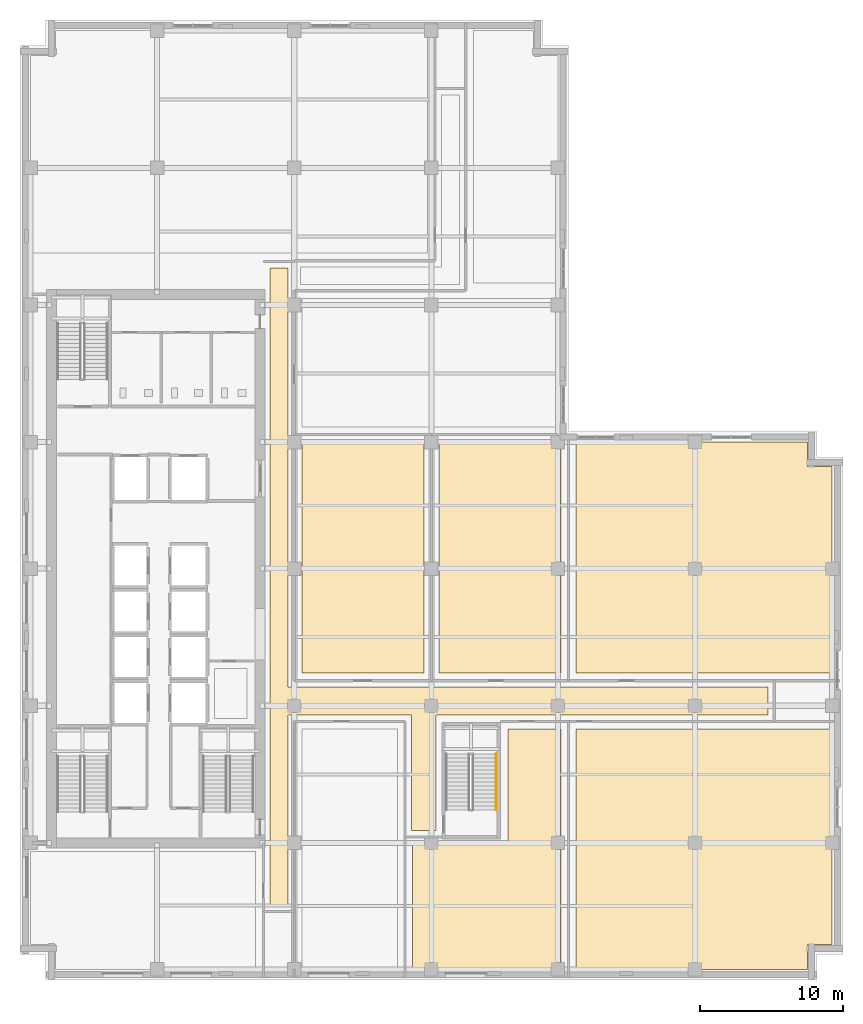
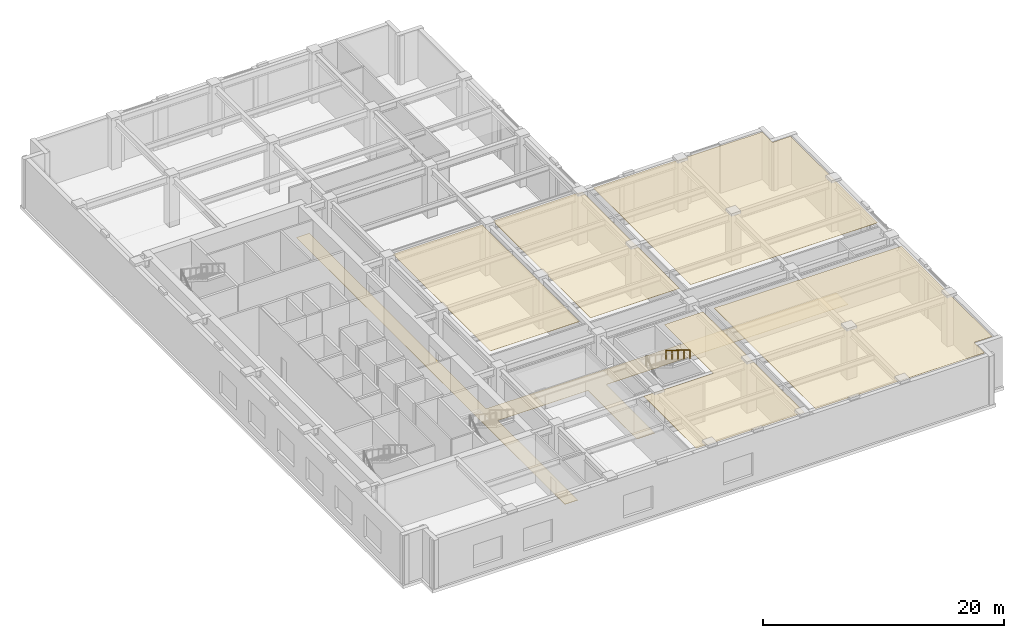
# One storey, part 15 of 18: 6 coverings, 1 railing.
"""IFC4 building model written with IfcOpenShell, lengths in metres."""

from ifc_helpers import new_model, si_unit, direction, frame, origin, origin_2d, place, context, subcontext, project, spatial, polyline, circle, outline, extrude, material, layer, layer_set, type_object, element, save


model = new_model("IFC4")

# Units and contexts
model_context = context("Model", 3, precision=1e-05, world=origin(), true_north=direction((0.0, 1.0)))
body_context = subcontext(model_context, "Body", "Model", "MODEL_VIEW")
ifc_project = project(units=[si_unit("LENGTHUNIT", "METRE"), si_unit("AREAUNIT", "SQUARE_METRE"), si_unit("VOLUMEUNIT", "CUBIC_METRE"), si_unit("PLANEANGLEUNIT", "RADIAN"), si_unit("MASSUNIT", "GRAM", prefix="KILO")], contexts=[model_context])

# Site, building, storey
site_placement = place(None, origin())
site = spatial("IfcSite", under=ifc_project, at=site_placement, CompositionType="ELEMENT")
building_placement = place(site_placement, origin())
building = spatial("IfcBuilding", under=site, at=building_placement, Name="Norrvale University Quadrangle", CompositionType="ELEMENT")
storey_placement = place(building_placement, frame((0.0, 0.0, 150.800048828125)))
storey = spatial("IfcBuildingStorey", under=building, at=storey_placement, Name="L38", CompositionType="ELEMENT", Elevation=150.800048828125)

# Coverings
ifc_material_1 = material(Name="Perforated Acoustic Mineral Ceiling")
ifc_layer_1 = layer(ifc_material_1, 0.02490234375, Name="Perforated Acoustic Mineral Ceiling")
ifc_layer_set_1 = layer_set([ifc_layer_1], Name="Perforated Acoustic Mineral Ceiling")
covering_type_1 = type_object("IfcCoveringType", Name="Covering Acoustic Ceiling 25", PredefinedType="CEILING", material=ifc_layer_set_1)
covering_1_placement = place(storey_placement, frame((0.0, 0.0, 4.9150390625)))
element("IfcCovering", 1, at=covering_1_placement, inside=storey, type_object=covering_type_1, Name="Acoustic Ceiling RM-L38-SE2", PredefinedType="CEILING", context=body_context, shape_type="SweptSolid", body=[
    extrude(outline(polyline([(27.47998046875, 9.449951171875), (34.14990234375, 9.449951171875), (34.14990234375, 17.570068359375), (37.8701171875, 17.570068359375), (37.8701171875, 0.75), (27.47998046875, 0.75), (27.47998046875, 9.449951171875)])), origin(), (0.0, 0.0, 1.0), 0.02490234375),
])
covering_2_placement = place(storey_placement, frame((0.0, 0.0, 4.9150390625)))
element("IfcCovering", 2, at=covering_2_placement, inside=storey, type_object=covering_type_1, Name="Acoustic Ceiling RM-L38-SE3", PredefinedType="CEILING", context=body_context, shape_type="SweptSolid", body=[
    extrude(outline(polyline([(38.929931640625, 0.75), (38.929931640625, 17.570068359375), (56.85009765625, 17.570068359375), (56.85009765625, 2.469970703125), (55.1298828125, 2.469970703125), (55.1298828125, 0.75), (38.929931640625, 0.75)])), origin(), (0.0, 0.0, 1.0), 0.02490234375),
])
covering_3_placement = place(storey_placement, frame((0.0, 0.0, 4.9150390625)))
element("IfcCovering", 3, at=covering_3_placement, inside=storey, type_object=covering_type_1, Name="Acoustic Ceiling RM-L38-ME01", PredefinedType="CEILING", context=body_context, shape_type="SweptSolid", body=[
    extrude(outline(polyline([(19.72998046875, 37.64990234375), (28.27001953125, 37.64990234375), (28.27001953125, 21.47998046875), (19.72998046875, 21.47998046875), (19.72998046875, 37.64990234375)])), origin(), (0.0, 0.0, 1.0), 0.02490234375),
])
covering_4_placement = place(storey_placement, frame((0.0, 0.0, 4.9150390625)))
element("IfcCovering", 4, at=covering_4_placement, inside=storey, type_object=covering_type_1, Name="Acoustic Ceiling RM-L38-ME02", PredefinedType="CEILING", context=body_context, shape_type="SweptSolid", body=[
    extrude(outline(polyline([(29.330078125, 37.64990234375), (37.8701171875, 37.64990234375), (37.8701171875, 21.47998046875), (29.330078125, 21.47998046875), (29.330078125, 37.64990234375)])), origin(), (0.0, 0.0, 1.0), 0.02490234375),
])
covering_5_placement = place(storey_placement, frame((0.0, 0.0, 4.9150390625)))
element("IfcCovering", 5, at=covering_5_placement, inside=storey, type_object=covering_type_1, Name="Acoustic Ceiling RM-L38-ME03", PredefinedType="CEILING", context=body_context, shape_type="SweptSolid", body=[
    extrude(outline(polyline([(56.85009765625, 21.47998046875), (38.929931640625, 21.47998046875), (38.929931640625, 37.64990234375), (55.1298828125, 37.64990234375), (55.1298828125, 35.929931640625), (56.85009765625, 35.929931640625), (56.85009765625, 21.47998046875)])), origin(), (0.0, 0.0, 1.0), 0.02490234375),
])
ifc_material_2 = material(Name="Polished Terrazzo Flooring")
ifc_layer_2 = layer(ifc_material_2, 0.02490234375, Name="Polished Terrazzo Flooring")
ifc_layer_set_2 = layer_set([ifc_layer_2], Name="Polished Terrazzo Flooring")
covering_type_2 = type_object("IfcCoveringType", Name="Covering Terrazzo Floor 30", PredefinedType="FLOORING", material=ifc_layer_set_2)
covering_6_placement = place(storey_placement, origin())
element("IfcCovering", 6, at=covering_6_placement, inside=storey, type_object=covering_type_2, Name="Terrazzo Flooring RM-L38-CORR1", PredefinedType="FLOORING", context=body_context, shape_type="SweptSolid", body=[
    extrude(outline(polyline([(17.5, 5.25), (17.5, 49.85009765625), (18.75, 49.85009765625), (18.75, 20.5), (52.35009765625, 20.5), (52.35009765625, 18.550048828125), (29.1298828125, 18.550048828125), (29.1298828125, 10.449951171875), (27.39990234375, 10.449951171875), (27.39990234375, 18.550048828125), (18.75, 18.550048828125), (18.75, 5.25), (17.5, 5.25)])), origin(), (0.0, 0.0, 1.0), 0.02490234375),
])

# Railing
ifc_material_3 = material(Name="Stainless Steel 316L Handrail", Category="steel")
railing_type = type_object("IfcRailingType", Name="Railing Stair Handrail 920", PredefinedType="HANDRAIL", material=ifc_material_3)
railing_placement = place(storey_placement, frame((33.31005859375, 15.820068359375, 2.773193359375)))
element("IfcRailing", 7, at=railing_placement, inside=storey, type_object=railing_type, Name="Stair Upper Flight Handrail ST-04 L38", PredefinedType="HANDRAIL", context=body_context, shape_type="SweptSolid", body=[
    extrude(circle(Radius=0.02392578125, at=origin_2d()), frame((0.0, 0.0, 0.89599609375), z_axis=(0.0, -0.850266275192, 0.526352791643), x_axis=(1.0, 0.0, 0.0)), (0.0, 0.0, 1.0), 4.610595703125),
    extrude(circle(Radius=0.02099609375, at=origin_2d()), origin(), (0.0, 0.0, 1.0), 0.871826171875),
    extrude(circle(Radius=0.02099609375, at=origin_2d()), frame((0.0, -0.97998046875, 0.606689453125)), (0.0, 0.0, 1.0), 0.871826171875),
    extrude(circle(Radius=0.02099609375, at=origin_2d()), frame((0.0, -1.9599609375, 1.21337890625)), (0.0, 0.0, 1.0), 0.871826171875),
    extrude(circle(Radius=0.02099609375, at=origin_2d()), frame((0.0, -2.940185546875, 1.820068359375)), (0.0, 0.0, 1.0), 0.871826171875),
    extrude(circle(Radius=0.02099609375, at=origin_2d()), frame((0.0, -3.920166015625, 2.4267578125)), (0.0, 0.0, 1.0), 0.871826171875),
])

save(model, "model.ifc")
